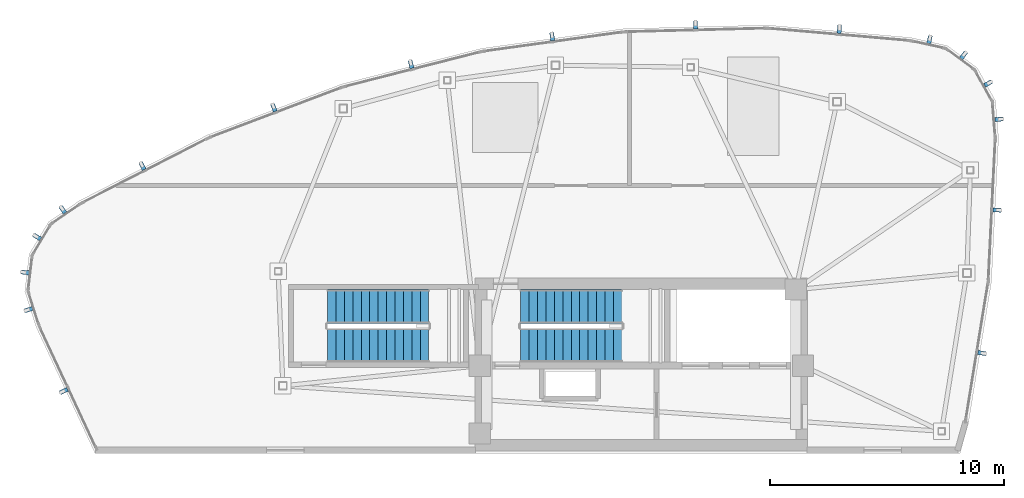
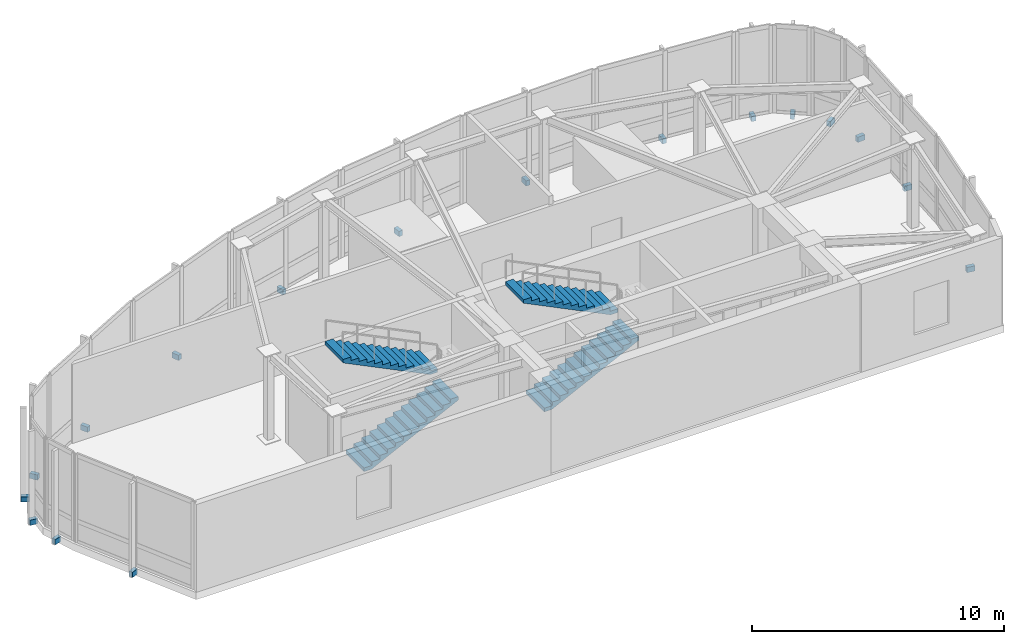
# One storey, part 7 of 10: 17 discrete accessories, 4 stair flights, 2 elements without a shape of their own.
"""IFC4 building model written with IfcOpenShell, lengths in metres."""

from ifc_helpers import new_model, si_unit, direction, frame, origin, origin_2d, place, context, subcontext, project, spatial, polyline, rectangle, outline, extrude, source, transform, mapped, material, type_object, type_shapes, element, aggregate, save


model = new_model("IFC4")

# Units and contexts
model_context = context("Model", 3, precision=1e-05, world=origin(), true_north=direction((0.0, 1.0)))
body_context = subcontext(model_context, "Body", "Model", "MODEL_VIEW")
ifc_project = project(units=[si_unit("LENGTHUNIT", "METRE"), si_unit("AREAUNIT", "SQUARE_METRE"), si_unit("VOLUMEUNIT", "CUBIC_METRE"), si_unit("PLANEANGLEUNIT", "RADIAN"), si_unit("MASSUNIT", "GRAM", prefix="KILO")], contexts=[model_context])

# Site, building, storey
site_placement = place(None, origin())
site = spatial("IfcSite", under=ifc_project, at=site_placement, CompositionType="ELEMENT")
building_placement = place(site_placement, origin())
building = spatial("IfcBuilding", under=site, at=building_placement, Name="Tavelor Broadcast Tower", CompositionType="ELEMENT")
storey_placement = place(building_placement, frame((0.0, 0.0, 350.5)))
storey = spatial("IfcBuildingStorey", under=building, at=storey_placement, Name="L83", CompositionType="ELEMENT", Elevation=350.5)

# Stair, stair flights
ifc_material_1 = material(Name="Concrete C40/50", Category="concrete")
stair_type = type_object("IfcStairType", Name="Reinforced Concrete Protected Dogleg Stair 1450 mm", PredefinedType="HALF_TURN_STAIR", material=ifc_material_1)
stair_1_placement = place(storey_placement, origin())
stair_1 = element("IfcStair", 1, at=stair_1_placement, inside=storey, type_object=stair_type, Name="L83 Protected Core Exit Stair ST1", PredefinedType="HALF_TURN_STAIR")
stair_flight_type = type_object("IfcStairFlightType", Name="Reinforced Concrete Stair Flight 1450 mm", PredefinedType="STRAIGHT", material=ifc_material_1)
stair_flight_1_placement = place(storey_placement, frame((44.85009765625, 48.824951171875, 0.0), z_axis=(0.0, 0.0, 1.0), x_axis=(1.0, 0.0, 0.0)))
stair_flight_1 = element("IfcStairFlight", 2, at=stair_flight_1_placement, type_object=stair_flight_type, Name="ST1 flight 1", NumberOfRisers=13, NumberOfTreads=12, PredefinedType="STRAIGHT", RiserHeight=0.176923077, TreadLength=0.36, context=body_context, shape_type="SweptSolid", body=[
    extrude(outline(polyline([(0.0, 0.0), (0.0, 0.177001953125), (0.360107421875, 0.177001953125), (0.360107421875, 0.353759765625), (0.719970703125, 0.353759765625), (0.719970703125, 0.53076171875), (1.080078125, 0.53076171875), (1.080078125, 0.707763671875), (1.43994140625, 0.707763671875), (1.43994140625, 0.884521484375), (1.800048828125, 0.884521484375), (1.800048828125, 1.0615234375), (2.159912109375, 1.0615234375), (2.159912109375, 1.238525390625), (2.52001953125, 1.238525390625), (2.52001953125, 1.415283203125), (2.8798828125, 1.415283203125), (2.8798828125, 1.59228515625), (3.239990234375, 1.59228515625), (3.239990234375, 1.769287109375), (3.60009765625, 1.769287109375), (3.60009765625, 1.946044921875), (3.9599609375, 1.946044921875), (3.9599609375, 2.123046875), (4.320068359375, 2.123046875), (4.320068359375, 2.300048828125), (4.320068359375, 1.9560546875), (0.33984375, 0.0), (0.0, 0.0)])), frame((0.0, 0.72509765625, 0.0), z_axis=(0.0, -1.0, 0.0), x_axis=(1.0, 0.0, 0.0)), (0.0, 0.0, 1.0), 1.449951171875),
])
stair_flight_2_placement = place(storey_placement, frame((49.169921875, 50.47509765625, 2.300048828125), z_axis=(0.0, 0.0, 1.0), x_axis=(-1.0, 0.0, 0.0)))
stair_flight_2 = element("IfcStairFlight", 3, at=stair_flight_2_placement, type_object=stair_flight_type, Name="ST1 flight 2", NumberOfRisers=13, NumberOfTreads=12, PredefinedType="STRAIGHT", RiserHeight=0.176923077, TreadLength=0.36, context=body_context, shape_type="SweptSolid", body=[
    extrude(outline(polyline([(0.0, 0.0), (0.0, 0.177001953125), (0.360107421875, 0.177001953125), (0.360107421875, 0.353759765625), (0.719970703125, 0.353759765625), (0.719970703125, 0.53076171875), (1.080078125, 0.53076171875), (1.080078125, 0.707763671875), (1.43994140625, 0.707763671875), (1.43994140625, 0.884521484375), (1.800048828125, 0.884521484375), (1.800048828125, 1.0615234375), (2.159912109375, 1.0615234375), (2.159912109375, 1.238525390625), (2.52001953125, 1.238525390625), (2.52001953125, 1.415283203125), (2.8798828125, 1.415283203125), (2.8798828125, 1.59228515625), (3.239990234375, 1.59228515625), (3.239990234375, 1.769287109375), (3.60009765625, 1.769287109375), (3.60009765625, 1.946044921875), (3.9599609375, 1.946044921875), (3.9599609375, 2.123046875), (4.320068359375, 2.123046875), (4.320068359375, 2.300048828125), (4.320068359375, 1.9560546875), (0.33984375, 0.0), (0.0, 0.0)])), frame((0.0, 0.72509765625, 0.0), z_axis=(0.0, -1.0, 0.0), x_axis=(1.0, 0.0, 0.0)), (0.0, 0.0, 1.0), 1.449951171875),
])
aggregate(stair_1, [stair_flight_1, stair_flight_2])

stair_2_placement = place(storey_placement, origin())
stair_2 = element("IfcStair", 4, at=stair_2_placement, inside=storey, type_object=stair_type, Name="L83 Crown Peak A Plant Stair ST5", PredefinedType="HALF_TURN_STAIR")
stair_flight_3_placement = place(storey_placement, frame((36.60009765625, 48.824951171875, 0.0), z_axis=(0.0, 0.0, 1.0), x_axis=(1.0, 0.0, 0.0)))
stair_flight_3 = element("IfcStairFlight", 5, at=stair_flight_3_placement, type_object=stair_flight_type, Name="ST5 flight 1", NumberOfRisers=13, NumberOfTreads=12, PredefinedType="STRAIGHT", RiserHeight=0.176923077, TreadLength=0.36, context=body_context, shape_type="SweptSolid", body=[
    extrude(outline(polyline([(0.0, 0.0), (0.0, 0.177001953125), (0.360107421875, 0.177001953125), (0.360107421875, 0.353759765625), (0.719970703125, 0.353759765625), (0.719970703125, 0.53076171875), (1.080078125, 0.53076171875), (1.080078125, 0.707763671875), (1.43994140625, 0.707763671875), (1.43994140625, 0.884521484375), (1.800048828125, 0.884521484375), (1.800048828125, 1.0615234375), (2.159912109375, 1.0615234375), (2.159912109375, 1.238525390625), (2.52001953125, 1.238525390625), (2.52001953125, 1.415283203125), (2.8798828125, 1.415283203125), (2.8798828125, 1.59228515625), (3.239990234375, 1.59228515625), (3.239990234375, 1.769287109375), (3.60009765625, 1.769287109375), (3.60009765625, 1.946044921875), (3.9599609375, 1.946044921875), (3.9599609375, 2.123046875), (4.320068359375, 2.123046875), (4.320068359375, 2.300048828125), (4.320068359375, 1.9560546875), (0.33984375, 0.0), (0.0, 0.0)])), frame((0.0, 0.72509765625, 0.0), z_axis=(0.0, -1.0, 0.0), x_axis=(1.0, 0.0, 0.0)), (0.0, 0.0, 1.0), 1.449951171875),
])
stair_flight_4_placement = place(storey_placement, frame((40.919921875, 50.47509765625, 2.300048828125), z_axis=(0.0, 0.0, 1.0), x_axis=(-1.0, 0.0, 0.0)))
stair_flight_4 = element("IfcStairFlight", 6, at=stair_flight_4_placement, type_object=stair_flight_type, Name="ST5 flight 2", NumberOfRisers=13, NumberOfTreads=12, PredefinedType="STRAIGHT", RiserHeight=0.176923077, TreadLength=0.36, context=body_context, shape_type="SweptSolid", body=[
    extrude(outline(polyline([(0.0, 0.0), (0.0, 0.177001953125), (0.360107421875, 0.177001953125), (0.360107421875, 0.353759765625), (0.719970703125, 0.353759765625), (0.719970703125, 0.53076171875), (1.080078125, 0.53076171875), (1.080078125, 0.707763671875), (1.43994140625, 0.707763671875), (1.43994140625, 0.884521484375), (1.800048828125, 0.884521484375), (1.800048828125, 1.0615234375), (2.159912109375, 1.0615234375), (2.159912109375, 1.238525390625), (2.52001953125, 1.238525390625), (2.52001953125, 1.415283203125), (2.8798828125, 1.415283203125), (2.8798828125, 1.59228515625), (3.239990234375, 1.59228515625), (3.239990234375, 1.769287109375), (3.60009765625, 1.769287109375), (3.60009765625, 1.946044921875), (3.9599609375, 1.946044921875), (3.9599609375, 2.123046875), (4.320068359375, 2.123046875), (4.320068359375, 2.300048828125), (4.320068359375, 1.9560546875), (0.33984375, 0.0), (0.0, 0.0)])), frame((0.0, 0.72509765625, 0.0), z_axis=(0.0, -1.0, 0.0), x_axis=(1.0, 0.0, 0.0)), (0.0, 0.0, 1.0), 1.449951171875),
])
aggregate(stair_2, [stair_flight_3, stair_flight_4])

# Discrete accessories
ifc_material_2 = material(Name="Steel S355", Category="steel")
discrete_accessory_type = type_object("IfcDiscreteAccessoryType", Name="Stainless Baguette Outrigger Support Bracket 260x180", PredefinedType="BRACKET", material=ifc_material_2)
shared_shape = source(origin(), body_context, "Body", "SweptSolid", [
    extrude(rectangle(XDim=0.179931640625, YDim=0.340087890625, at=origin_2d()), origin(), (0.0, 0.0, 1.0), 0.251953125),
])
type_shapes(discrete_accessory_type, [shared_shape])
for number, where, z_axis, x_axis, name in (
    (7, (64.548583984375, 48.48876953125, -0.301025390625), (0.0, 0.0, 1.0), (0.160742565604, 0.98699636656, 0.0), "L83 Baguette Outrigger Bracket 840"),
    (8, (65.194580078125, 54.60009765625, -0.301025390625), (0.0, 0.0, 1.0), (0.049198415926, 0.998789024705, 0.0), "L83 Baguette Outrigger Bracket 841"),
    (9, (65.28076171875, 58.477294921875, -0.301025390625), (0.0, 0.0, 1.0), (-0.081068747348, 0.996708512156, 0.0), "L83 Baguette Outrigger Bracket 842"),
    (10, (64.81884765625, 60.00732421875, -0.301025390625), (0.0, 0.0, 1.0), (-0.484046186062, 0.875042450261, 0.0), "L83 Baguette Outrigger Bracket 843"),
    (11, (63.768310546875, 61.211669921875, -0.301025390625), (0.0, 0.0, 1.0), (-0.801253812691, 0.598324600571, 0.0), "L83 Baguette Outrigger Bracket 844"),
    (12, (62.31494140625, 61.877197265625, -0.301025390625), (0.0, 0.0, 1.0), (-0.976484514545, 0.215587552642, 0.0), "L83 Baguette Outrigger Bracket 845"),
    (13, (58.4619140625, 62.31787109375, -0.301025390625), (0.0, 0.0, 1.0), (-0.996225060493, 0.086807999895, 0.0), "L83 Baguette Outrigger Bracket 846"),
    (14, (52.319580078125, 62.507080078125, -0.301025390625), (0.0, 0.0, 1.0), (-0.999679788028, -0.025304572866, 0.0), "L83 Baguette Outrigger Bracket 847"),
    (15, (46.194580078125, 62.007080078125, -0.301025390625), (0.0, 0.0, 1.0), (-0.990557380089, -0.137098784642, 0.0), "L83 Baguette Outrigger Bracket 848"),
    (16, (40.164306640625, 60.823974609375, -0.301025390625), (0.0, 0.0, 1.0), (-0.968929453452, -0.247337247968, 0.0), "L83 Baguette Outrigger Bracket 849"),
    (17, (34.304443359375, 58.97265625, -0.301025390625), (0.0, 0.0, 1.0), (-0.935135209686, -0.354291037998, 0.0), "L83 Baguette Outrigger Bracket 850"),
    (18, (28.68896484375, 56.476806640625, -0.301025390625), (0.0, 0.0, 1.0), (-0.889575876378, -0.456787434334, 0.0), "L83 Baguette Outrigger Bracket 851"),
    (19, (25.287841796875, 54.61279296875, -0.301025390625), (0.0, 0.0, 1.0), (-0.822640518021, -0.568561850734, 0.0), "L83 Baguette Outrigger Bracket 852"),
    (20, (24.19384765625, 53.447509765625, -0.301025390625), (0.0, 0.0, 1.0), (-0.515785898285, -0.856717518865, 0.0), "L83 Baguette Outrigger Bracket 853"),
    (21, (23.676025390625, 51.935302734375, -0.301025390625), (0.0, 0.0, 1.0), (-0.117537397458, -0.993068456955, 0.0), "L83 Baguette Outrigger Bracket 854"),
    (22, (23.826416015625, 50.34423828125, -0.301025390625), (0.0, 0.0, 1.0), (0.301537959944, -0.953454172319, 0.0), "L83 Baguette Outrigger Bracket 855"),
    (23, (25.3330078125, 46.868896484375, -0.301025390625), (0.0, 0.0, 1.0), (0.422934597085, -0.906160210221, 0.0), "L83 Baguette Outrigger Bracket 856"),
):
    element("IfcDiscreteAccessory", number, at=place(storey_placement, frame(where, z_axis=z_axis, x_axis=x_axis)), inside=storey, type_object=discrete_accessory_type, Name=name, PredefinedType="BRACKET", context=body_context, shape_type="MappedRepresentation", body=[
        mapped(shared_shape, transform((0.0, 0.0, 0.0), scale=1.0)),
    ])

save(model, "model.ifc")
